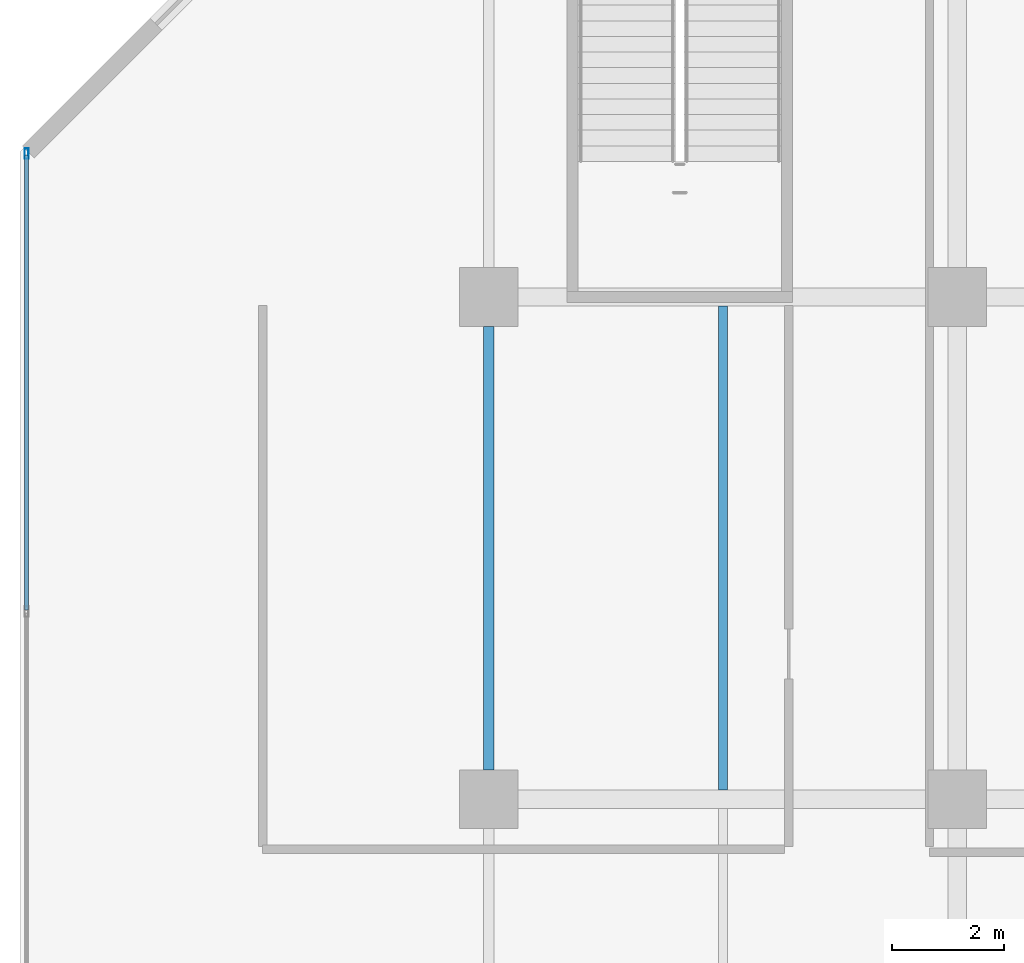
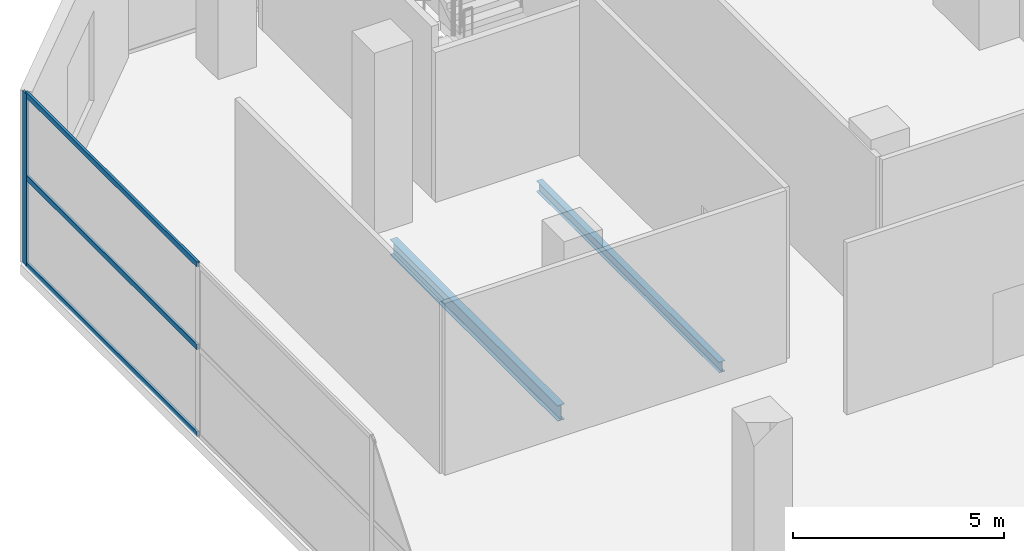
# One storey, part 18 of 40: 4 members, 2 beams, 1 element without a shape of its own.
"""IFC4 building model written with IfcOpenShell, lengths in metres."""

from ifc_helpers import new_model, si_unit, direction, frame, origin, origin_2d, place, context, subcontext, project, spatial, hollow_rectangle, i_section, extrude, material, layer, layer_set, material_profile, profile_set, type_object, element, aggregate, save


model = new_model("IFC4")

# Units and contexts
model_context = context("Model", 3, precision=1e-05, world=origin(), true_north=direction((0.0, 1.0)))
body_context = subcontext(model_context, "Body", "Model", "MODEL_VIEW")
ifc_project = project(units=[si_unit("LENGTHUNIT", "METRE"), si_unit("AREAUNIT", "SQUARE_METRE"), si_unit("VOLUMEUNIT", "CUBIC_METRE"), si_unit("PLANEANGLEUNIT", "RADIAN"), si_unit("MASSUNIT", "GRAM", prefix="KILO")], contexts=[model_context])

# Site, building, storey
site_placement = place(None, origin())
site = spatial("IfcSite", under=ifc_project, at=site_placement, CompositionType="ELEMENT")
building_placement = place(site_placement, origin())
building = spatial("IfcBuilding", under=site, at=building_placement, Name="Maruvema Waterfront Hotel and Observation Tower", CompositionType="ELEMENT")
storey_placement = place(building_placement, frame((0.0, 0.0, 5.60009765625)))
storey = spatial("IfcBuildingStorey", under=building, at=storey_placement, Name="L01", CompositionType="ELEMENT", Elevation=5.60009765625)

# Curtain wall, members
ifc_material_1 = material(Name="Anodised bronze aluminium and solar-control low-E IGU", Category="aluminium")
ifc_layer = layer(ifc_material_1, 0.159912109375, Name="Podium Waterfront Storefront Curtain Wall System CW-01")
ifc_layer_set = layer_set([ifc_layer], Name="Anodised bronze aluminium and solar-control low-E IGU")
curtain_wall_type = type_object("IfcCurtainWallType", Name="Podium Waterfront Storefront Curtain Wall System CW-01", PredefinedType="USERDEFINED", material=ifc_layer_set)
curtain_wall_placement = place(storey_placement, origin())
curtain_wall = element("IfcCurtainWall", 1, at=curtain_wall_placement, inside=storey, type_object=curtain_wall_type, Name="L01 Curtain Wall CW-L01-W", ObjectType="UNITISED CURTAIN WALL", PredefinedType="USERDEFINED")
ifc_material_2 = material(Name="Anodised architectural bronze aluminium", Category="aluminium")
ifc_material_profile_1 = material_profile(ifc_material_2, hollow_rectangle(XDim=0.070068359375, YDim=0.14990234375, WallThickness=0.00390625, at=origin_2d()), Name="ALU-T70x150")
ifc_profile_set_1 = profile_set([ifc_material_profile_1], Name="Anodised architectural bronze aluminium")
member_type_1 = type_object("IfcMemberType", Name="Curtain Wall Horizontal Transom ALU-T70x150", PredefinedType="USERDEFINED", material=ifc_profile_set_1)
member_1_placement = place(storey_placement, frame((0.1201171875, 47.5400390625, 0.02978515625), z_axis=(0.0, -1.0, 0.0), x_axis=(1.0, 0.0, 0.0)))
member_1 = element("IfcMember", 2, at=member_1_placement, type_object=member_type_1, Name="CW-01 transom 1.1", ObjectType="TRANSOM", PredefinedType="USERDEFINED", context=body_context, shape_type="SweptSolid", body=[
    extrude(hollow_rectangle(XDim=0.070068359375, YDim=0.14990234375, WallThickness=0.00390625, at=origin_2d()), origin(), (0.0, 0.0, 1.0), 8.150146484375),
])
member_2_placement = place(storey_placement, frame((0.1201171875, 47.5400390625, 2.5498046875), z_axis=(0.0, -1.0, 0.0), x_axis=(1.0, 0.0, 0.0)))
member_2 = element("IfcMember", 3, at=member_2_placement, type_object=member_type_1, Name="CW-01 transom 1.2", ObjectType="TRANSOM", PredefinedType="USERDEFINED", context=body_context, shape_type="SweptSolid", body=[
    extrude(hollow_rectangle(XDim=0.070068359375, YDim=0.14990234375, WallThickness=0.00390625, at=origin_2d()), origin(), (0.0, 0.0, 1.0), 8.150146484375),
])
member_3_placement = place(storey_placement, frame((0.1201171875, 47.5400390625, 4.93994140625), z_axis=(0.0, -1.0, 0.0), x_axis=(1.0, 0.0, 0.0)))
member_3 = element("IfcMember", 4, at=member_3_placement, type_object=member_type_1, Name="CW-01 transom 1.3", ObjectType="TRANSOM", PredefinedType="USERDEFINED", context=body_context, shape_type="SweptSolid", body=[
    extrude(hollow_rectangle(XDim=0.070068359375, YDim=0.14990234375, WallThickness=0.00390625, at=origin_2d()), origin(), (0.0, 0.0, 1.0), 8.150146484375),
])

# Beam
ifc_material_3 = material(Name="Steel ASTM A572 Grade 50", Category="steel")
ifc_material_profile_2 = material_profile(ifc_material_3, i_section(OverallWidth=0.18994140625, OverallDepth=0.45703125, WebThickness=0.009033203125, FlangeThickness=0.014404296875, FilletRadius=0.014892578125, at=origin_2d()), Name="W460x74.0")
ifc_profile_set_2 = profile_set([ifc_material_profile_2], Name="Steel ASTM A572 Grade 50")
beam_type_1 = type_object("IfcBeamType", Name="Perimeter Spandrel Beam W460x74.0", PredefinedType="SPANDREL", material=ifc_profile_set_2)
beam_1_placement = place(storey_placement, frame((8.39990234375, 36.52490234375, -0.508544921875), z_axis=(0.0, 1.0, 0.0), x_axis=(-1.0, 0.0, 0.0)))
element("IfcBeam", 5, at=beam_1_placement, inside=storey, type_object=beam_type_1, Name="L01 Floor Girder NS-05", PredefinedType="SPANDREL", context=body_context, shape_type="SweptSolid", body=[
    extrude(i_section(OverallWidth=0.18994140625, OverallDepth=0.45703125, WebThickness=0.009033203125, FlangeThickness=0.014404296875, FilletRadius=0.014892578125, at=origin_2d()), origin(), (0.0, 0.0, 1.0), 7.9501953125),
])

# Member
ifc_material_4 = material(Name="Anodised architectural bronze aluminium", Category="aluminium")
ifc_material_profile_3 = material_profile(ifc_material_4, hollow_rectangle(XDim=0.070068359375, YDim=0.18994140625, WallThickness=0.00390625, at=origin_2d()), Name="ALU-M70x190")
ifc_profile_set_3 = profile_set([ifc_material_profile_3], Name="Anodised architectural bronze aluminium")
member_type_2 = type_object("IfcMemberType", Name="Podium Storefront Heavy Mullion ALU-M70x190", PredefinedType="MULLION", material=ifc_profile_set_3)
member_4_placement = place(storey_placement, frame((0.1201171875, 47.570068359375, 0.0), z_axis=(0.0, 0.0, 1.0), x_axis=(1.0, 0.0, 0.0)))
member_4 = element("IfcMember", 6, at=member_4_placement, type_object=member_type_2, Name="CW-01 mullion 1", PredefinedType="MULLION", context=body_context, shape_type="SweptSolid", body=[
    extrude(hollow_rectangle(XDim=0.070068359375, YDim=0.18994140625, WallThickness=0.00390625, at=origin_2d()), origin(), (0.0, 0.0, 1.0), 4.969970703125),
])

aggregate(curtain_wall, [member_4, member_1, member_2, member_3])

# Beam
ifc_material_5 = material(Name="Steel ASTM A572 Grade 50", Category="steel")
ifc_material_profile_4 = material_profile(ifc_material_5, i_section(OverallWidth=0.1650390625, OverallDepth=0.31005859375, WebThickness=0.005859375, FlangeThickness=0.009765625, FilletRadius=0.012939453125, at=origin_2d()), Name="W310x38.7")
ifc_profile_set_4 = profile_set([ifc_material_profile_4], Name="Steel ASTM A572 Grade 50")
beam_type_2 = type_object("IfcBeamType", Name="Secondary Floor Joist W310x38.7", PredefinedType="JOIST", material=ifc_profile_set_4)
beam_2_placement = place(storey_placement, frame((12.60009765625, 36.16455078125, -0.43505859375), z_axis=(0.0, 1.0, 0.0), x_axis=(-1.0, 0.0, 0.0)))
element("IfcBeam", 7, at=beam_2_placement, inside=storey, type_object=beam_type_2, Name="L01 Secondary Floor Joist JS-04", PredefinedType="JOIST", context=body_context, shape_type="SweptSolid", body=[
    extrude(i_section(OverallWidth=0.1650390625, OverallDepth=0.31005859375, WebThickness=0.005859375, FlangeThickness=0.009765625, FilletRadius=0.012939453125, at=origin_2d()), origin(), (0.0, 0.0, 1.0), 8.6708984375),
])

save(model, "model.ifc")
